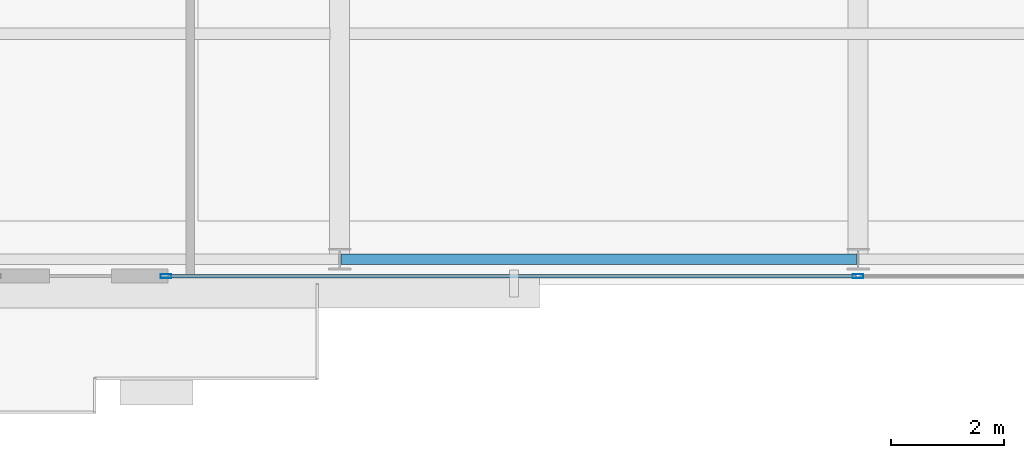
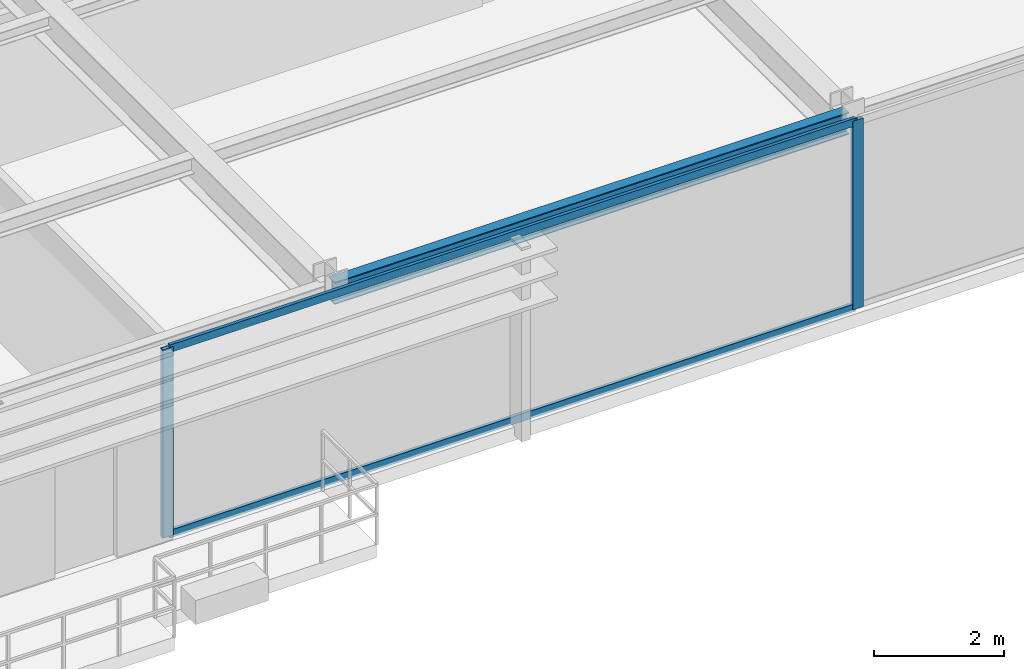
# One storey, part 6 of 32: 4 members, 1 beam, 1 element without a shape of its own.
"""IFC4 building model written with IfcOpenShell, lengths in metres."""

from ifc_helpers import new_model, si_unit, direction, frame, origin, origin_2d, place, context, subcontext, project, spatial, hollow_rectangle, i_section, extrude, source, transform, mapped, material, layer, layer_set, material_profile, profile_set, type_object, type_shapes, element, aggregate, save


model = new_model("IFC4")

# Units and contexts
model_context = context("Model", 3, precision=1e-05, world=origin(), true_north=direction((0.0, 1.0)))
body_context = subcontext(model_context, "Body", "Model", "MODEL_VIEW")
ifc_project = project(units=[si_unit("LENGTHUNIT", "METRE"), si_unit("AREAUNIT", "SQUARE_METRE"), si_unit("VOLUMEUNIT", "CUBIC_METRE"), si_unit("PLANEANGLEUNIT", "RADIAN"), si_unit("MASSUNIT", "GRAM", prefix="KILO")], contexts=[model_context])

# Site, building, storey
site_placement = place(None, origin())
site = spatial("IfcSite", under=ifc_project, at=site_placement, CompositionType="ELEMENT")
building_placement = place(site_placement, origin())
building = spatial("IfcBuilding", under=site, at=building_placement, Name="Varnel Quay Broadcast Tower", CompositionType="ELEMENT")
storey_placement = place(building_placement, frame((0.0, 0.0, 133.39990234375)))
storey = spatial("IfcBuildingStorey", under=building, at=storey_placement, Name="L32", CompositionType="ELEMENT", Elevation=133.39990234375)

# Beam
ifc_material_1 = material(Name="Structural Steel CSA G40.21 350W", Category="steel")
ifc_material_profile_1 = material_profile(ifc_material_1, i_section(OverallWidth=0.180908203125, OverallDepth=0.4169921875, WebThickness=0.010986328125, FlangeThickness=0.018310546875, FilletRadius=0.011962890625, at=origin_2d()), Name="W410X85")
ifc_profile_set_1 = profile_set([ifc_material_profile_1], Name="Structural Steel CSA G40.21 350W")
beam_type = type_object("IfcBeamType", Name="Beam_W410X85", PredefinedType="SPANDREL", material=ifc_profile_set_1)
shared_shape_1 = source(origin(), body_context, "Body", "SweptSolid", [
    extrude(i_section(OverallWidth=0.180908203125, OverallDepth=0.4169921875, WebThickness=0.010986328125, FlangeThickness=0.018310546875, FilletRadius=0.011962890625, at=origin_2d()), origin(), (0.0, 0.0, 1.0), 9.159912109375),
])
type_shapes(beam_type, [shared_shape_1])
beam_placement = place(storey_placement, frame((24.820068359375, 4.64990234375, 3.341552734375), z_axis=(1.0, 0.0, 0.0), x_axis=(0.0, 1.0, 0.0)))
element("IfcBeam", 1, at=beam_placement, inside=storey, type_object=beam_type, Name="L32 South Spandrel TC-S2-TC-S3", PredefinedType="SPANDREL", context=body_context, shape_type="MappedRepresentation", body=[
    mapped(shared_shape_1, transform((0.0, 0.0, 0.0), x_axis=(1.0, 0.0, 0.0), y_axis=(0.0, 1.0, 0.0), z_axis=(0.0, 0.0, 1.0), scale=1.0)),
])

# Curtain wall, members
ifc_material_2 = material(Name="Anodised Bronze Aluminium 6063-T6", Category="aluminium")
ifc_layer = layer(ifc_material_2, 0.18994140625, Name="Anodised Bronze Aluminium 6063-T6")
ifc_layer_set = layer_set([ifc_layer], Name="Anodised Bronze Aluminium 6063-T6")
curtain_wall_type = type_object("IfcCurtainWallType", Name="CW_LowerTower", PredefinedType="NOTDEFINED", material=ifc_layer_set)
curtain_wall_placement = place(storey_placement, origin())
curtain_wall = element("IfcCurtainWall", 2, at=curtain_wall_placement, inside=storey, type_object=curtain_wall_type, Name="L32 South Unitised Curtain Wall 2", PredefinedType="NOTDEFINED")
ifc_material_profile_2 = material_profile(ifc_material_2, hollow_rectangle(XDim=0.06005859375, YDim=0.14501953125, WallThickness=0.00341796875, at=origin_2d()), Name="ALU60X145X3.5")
ifc_profile_set_2 = profile_set([ifc_material_profile_2], Name="Anodised Bronze Aluminium 6063-T6")
member_type_1 = type_object("IfcMemberType", Name="Tran_CWS-02", PredefinedType="USERDEFINED", material=ifc_profile_set_2)
shared_shape_2 = source(origin(), body_context, "Body", "SweptSolid", [
    extrude(hollow_rectangle(XDim=0.06005859375, YDim=0.14501953125, WallThickness=0.00341796875, at=origin_2d()), origin(), (0.0, 0.0, 1.0), 12.215087890625),
])
type_shapes(member_type_1, [shared_shape_2])
member_1_placement = place(storey_placement, frame((21.75, 4.35009765625, 0.030029296875), z_axis=(1.0, 0.0, 0.0), x_axis=(0.0, 1.0, 0.0)))
member_1 = element("IfcMember", 3, at=member_1_placement, type_object=member_type_1, Name="CWS-02 transom 1.1", ObjectType="TRANSOM", PredefinedType="USERDEFINED", context=body_context, shape_type="MappedRepresentation", body=[
    mapped(shared_shape_2, transform((0.0, 0.0, 0.0), x_axis=(1.0, 0.0, 0.0), y_axis=(0.0, 1.0, 0.0), z_axis=(0.0, 0.0, 1.0), scale=1.0)),
])
member_2_placement = place(storey_placement, frame((21.75, 4.35009765625, 3.52001953125), z_axis=(1.0, 0.0, 0.0), x_axis=(0.0, 1.0, 0.0)))
member_2 = element("IfcMember", 4, at=member_2_placement, type_object=member_type_1, Name="CWS-02 transom 1.2", ObjectType="TRANSOM", PredefinedType="USERDEFINED", context=body_context, shape_type="MappedRepresentation", body=[
    mapped(shared_shape_2, transform((0.0, 0.0, 0.0), x_axis=(1.0, 0.0, 0.0), y_axis=(0.0, 1.0, 0.0), z_axis=(0.0, 0.0, 1.0), scale=1.0)),
])
ifc_material_profile_3 = material_profile(ifc_material_2, hollow_rectangle(XDim=0.070068359375, YDim=0.18994140625, WallThickness=0.00390625, at=origin_2d()), Name="ALU70X190X4")
ifc_profile_set_3 = profile_set([ifc_material_profile_3], Name="Anodised Bronze Aluminium 6063-T6")
member_type_2 = type_object("IfcMemberType", Name="Mull_CWS-02", PredefinedType="MULLION", material=ifc_profile_set_3)
shared_shape_3 = source(origin(), body_context, "Body", "SweptSolid", [
    extrude(hollow_rectangle(XDim=0.070068359375, YDim=0.18994140625, WallThickness=0.00390625, at=origin_2d()), origin(), (0.0, 0.0, 1.0), 3.550048828125),
])
type_shapes(member_type_2, [shared_shape_3])
member_3_placement = place(storey_placement, frame((21.715087890625, 4.35009765625, 0.0), z_axis=(0.0, 0.0, 1.0), x_axis=(0.0, 1.0, 0.0)))
member_3 = element("IfcMember", 5, at=member_3_placement, type_object=member_type_2, Name="CWS-02 mullion 1", PredefinedType="MULLION", context=body_context, shape_type="MappedRepresentation", body=[
    mapped(shared_shape_3, transform((0.0, 0.0, 0.0), x_axis=(1.0, 0.0, 0.0), y_axis=(0.0, 1.0, 0.0), z_axis=(0.0, 0.0, 1.0), scale=1.0)),
])
member_4_placement = place(storey_placement, frame((34.0, 4.35009765625, 0.0), z_axis=(0.0, 0.0, 1.0), x_axis=(0.0, 1.0, 0.0)))
member_4 = element("IfcMember", 6, at=member_4_placement, type_object=member_type_2, Name="CWS-02 mullion 2", PredefinedType="MULLION", context=body_context, shape_type="MappedRepresentation", body=[
    mapped(shared_shape_3, transform((0.0, 0.0, 0.0), x_axis=(1.0, 0.0, 0.0), y_axis=(0.0, 1.0, 0.0), z_axis=(0.0, 0.0, 1.0), scale=1.0)),
])
aggregate(curtain_wall, [member_3, member_4, member_1, member_2])

save(model, "model.ifc")
